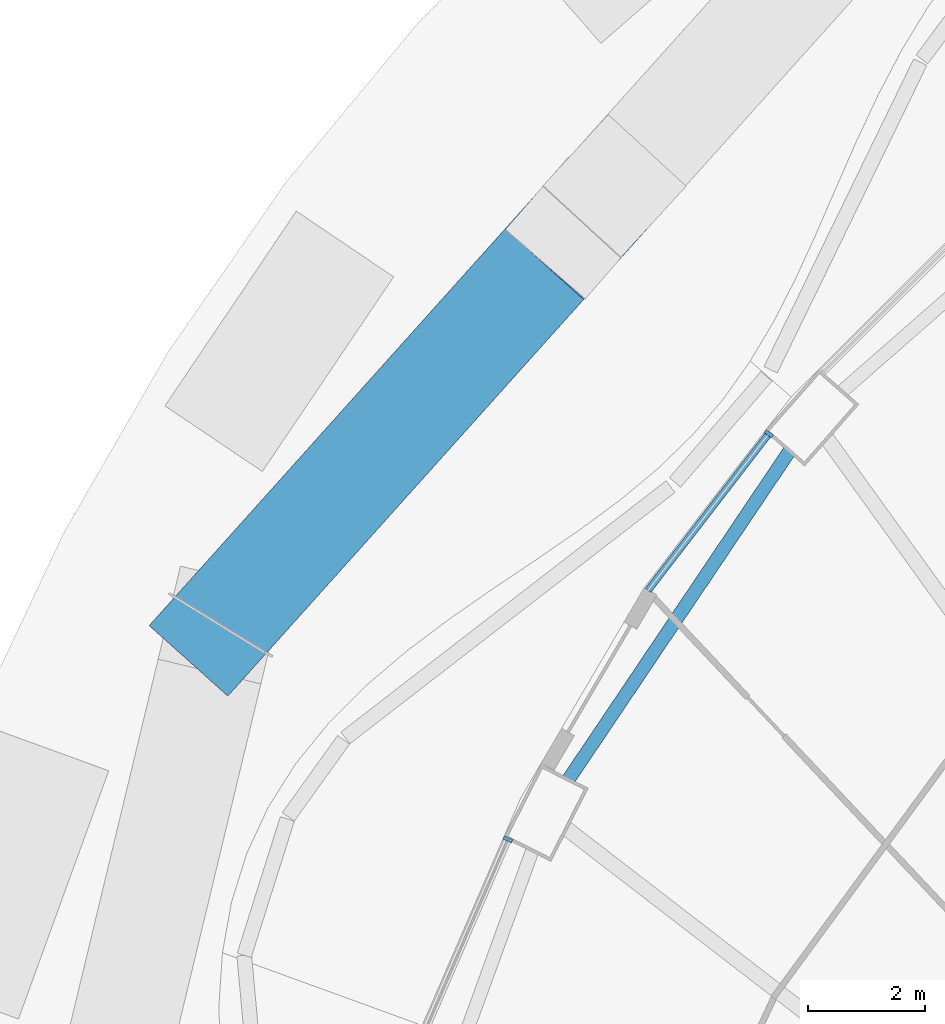
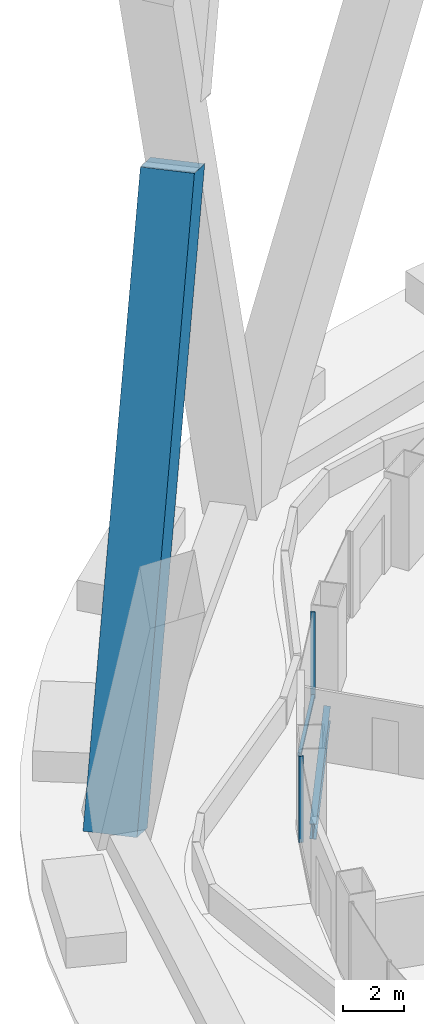
# One storey, part 19 of 42: 4 members, 1 beam, 2 elements without a shape of their own.
"""IFC4 building model written with IfcOpenShell, lengths in metres."""

from ifc_helpers import new_model, si_unit, direction, frame, origin, origin_2d, place, context, subcontext, project, spatial, rectangle, i_section, extrude, material, layer, layer_set, material_profile, profile_set, type_object, element, aggregate, save


model = new_model("IFC4")

# Units and contexts
model_context = context("Model", 3, precision=1e-05, world=origin(), true_north=direction((0.0, 1.0)))
body_context = subcontext(model_context, "Body", "Model", "MODEL_VIEW")
ifc_project = project(units=[si_unit("LENGTHUNIT", "METRE"), si_unit("AREAUNIT", "SQUARE_METRE"), si_unit("VOLUMEUNIT", "CUBIC_METRE"), si_unit("PLANEANGLEUNIT", "RADIAN"), si_unit("MASSUNIT", "GRAM", prefix="KILO")], contexts=[model_context])

# Site, building, storey
site_placement = place(None, origin())
site = spatial("IfcSite", under=ifc_project, at=site_placement, CompositionType="ELEMENT")
building_placement = place(site_placement, origin())
building = spatial("IfcBuilding", under=site, at=building_placement, Name="Nagisa Residences", CompositionType="ELEMENT")
storey_placement = place(building_placement, frame((0.0, 0.0, 27.0)))
storey = spatial("IfcBuildingStorey", under=building, at=storey_placement, Name="L05", CompositionType="ELEMENT", Elevation=27.0)

# Curtain wall, member
ifc_material_1 = material(Name="Concrete-coloured aluminium curtain wall system", Category="concrete")
ifc_layer = layer(ifc_material_1, 0.159912109375)
ifc_layer_set = layer_set([ifc_layer], Name="CW1 CURTAIN WALL")
curtain_wall_type = type_object("IfcCurtainWallType", Name="CW1 CURTAIN WALL", PredefinedType="NOTDEFINED", material=ifc_layer_set)
curtain_wall_1_placement = place(storey_placement, origin())
curtain_wall_1 = element("IfcCurtainWall", 1, at=curtain_wall_1_placement, inside=storey, type_object=curtain_wall_type, Name="cw:CW1:L05:18", PredefinedType="NOTDEFINED")
ifc_material_2 = material(Name="Concrete-coloured aluminium", Category="concrete")
ifc_material_profile_1 = material_profile(ifc_material_2, rectangle(XDim=0.159912109375, YDim=0.06005859375, at=origin_2d()), Name="CW1 MULLION 160x60")
ifc_profile_set_1 = profile_set([ifc_material_profile_1], Name="Concrete-coloured aluminium")
member_type_1 = type_object("IfcMemberType", Name="CW1 MULLION 160x60", PredefinedType="MULLION", material=ifc_profile_set_1)
member_1_placement = place(storey_placement, frame((-17.288330078125, 22.70751953125, 0.0), z_axis=(0.0, 0.0, 1.0), x_axis=(0.792070340816, -0.610429828235, 0.0)))
member_1 = element("IfcMember", 2, at=member_1_placement, type_object=member_type_1, Name="CW1 mullion", PredefinedType="MULLION", context=body_context, shape_type="SweptSolid", body=[
    extrude(rectangle(XDim=0.159912109375, YDim=0.06005859375, at=origin_2d()), origin(), (0.0, 0.0, 1.0), 3.43994140625),
])

curtain_wall_2_placement = place(storey_placement, origin())
curtain_wall_2 = element("IfcCurtainWall", 3, at=curtain_wall_2_placement, inside=storey, type_object=curtain_wall_type, Name="cw:CW1:L05:20", PredefinedType="NOTDEFINED")
member_2_placement = place(storey_placement, frame((-21.731689453125, 15.79833984375, 0.0), z_axis=(0.0, 0.0, 1.0), x_axis=(0.917543276295, -0.397635934147, 0.0)))
member_2 = element("IfcMember", 4, at=member_2_placement, type_object=member_type_1, Name="CW1 mullion", PredefinedType="MULLION", context=body_context, shape_type="SweptSolid", body=[
    extrude(rectangle(XDim=0.159912109375, YDim=0.06005859375, at=origin_2d()), origin(), (0.0, 0.0, 1.0), 3.43994140625),
])
aggregate(curtain_wall_2, [member_2])

# Member
ifc_material_3 = material(Name="Concrete-coloured aluminium", Category="concrete")
ifc_material_profile_2 = material_profile(ifc_material_3, rectangle(XDim=0.1201171875, YDim=0.14990234375, at=origin_2d()), Name="CW1 TRANSOM 120x150")
ifc_profile_set_2 = profile_set([ifc_material_profile_2], Name="Concrete-coloured aluminium")
member_type_2 = type_object("IfcMemberType", Name="CW1 TRANSOM 120x150", PredefinedType="USERDEFINED", material=ifc_profile_set_2)
member_3_placement = place(storey_placement, frame((-17.27001953125, 22.731201171875, 0.074951171875), z_axis=(-0.610457147657, -0.792049285635, 0.0), x_axis=(0.792049285635, -0.610457147657, 0.0)))
member_3 = element("IfcMember", 5, at=member_3_placement, type_object=member_type_2, Name="CW1 transom", ObjectType="TRANSOM", PredefinedType="USERDEFINED", context=body_context, shape_type="SweptSolid", body=[
    extrude(rectangle(XDim=0.1201171875, YDim=0.14990234375, at=origin_2d()), origin(), (0.0, 0.0, 1.0), 3.3974609375),
])

aggregate(curtain_wall_1, [member_1, member_3])

ifc_material_4 = material(Name="Concrete C80", Category="concrete")
ifc_material_profile_3 = material_profile(ifc_material_4, rectangle(XDim=1.800048828125, YDim=1.800048828125, at=origin_2d()), Name="C80 1800x1800")
ifc_profile_set_3 = profile_set([ifc_material_profile_3], Name="Concrete C80")
member_type_3 = type_object("IfcMemberType", Name="Cage diagonal 1 C80 1800x1800", PredefinedType="BRACE", material=ifc_profile_set_3)
member_4_placement = place(storey_placement, frame((-26.624267578125, 19.449951171875, 0.0), z_axis=(0.273554239164, 0.304902552619, 0.912251342362), x_axis=(-0.744334814067, 0.667806622136, 0.0)))
element("IfcMember", 6, at=member_4_placement, inside=storey, type_object=member_type_3, Name="mem:L05:cg1d110a", PredefinedType="BRACE", context=body_context, shape_type="SweptSolid", body=[
    extrude(rectangle(XDim=1.800048828125, YDim=1.800048828125, at=origin_2d()), origin(), (0.0, 0.0, 1.0), 22.16455078125),
])

# Beam
ifc_material_5 = material(Name="Steel ASTM A572 Gr 50", Category="steel")
ifc_material_profile_4 = material_profile(ifc_material_5, i_section(OverallWidth=0.22802734375, OverallDepth=0.60302734375, WebThickness=0.010498046875, FlangeThickness=0.014892578125, at=origin_2d()), Name="W610x101")
ifc_profile_set_4 = profile_set([ifc_material_profile_4], Name="Steel ASTM A572 Gr 50")
beam_type = type_object("IfcBeamType", Name="Perimeter ring beam W610x101", PredefinedType="BEAM", material=ifc_profile_set_4)
beam_placement = place(storey_placement, frame((-16.935302734375, 22.411865234375, -0.5615234375), z_axis=(-0.558296806041, -0.829641293792, 0.0), x_axis=(0.829641293792, -0.558296806041, 0.0)))
element("IfcBeam", 7, at=beam_placement, inside=storey, type_object=beam_type, Name="beam:L05:pb10", PredefinedType="BEAM", context=body_context, shape_type="SweptSolid", body=[
    extrude(i_section(OverallWidth=0.22802734375, OverallDepth=0.60302734375, WebThickness=0.010498046875, FlangeThickness=0.014892578125, at=origin_2d()), origin(), (0.0, 0.0, 1.0), 6.74169921875),
])

save(model, "model.ifc")
